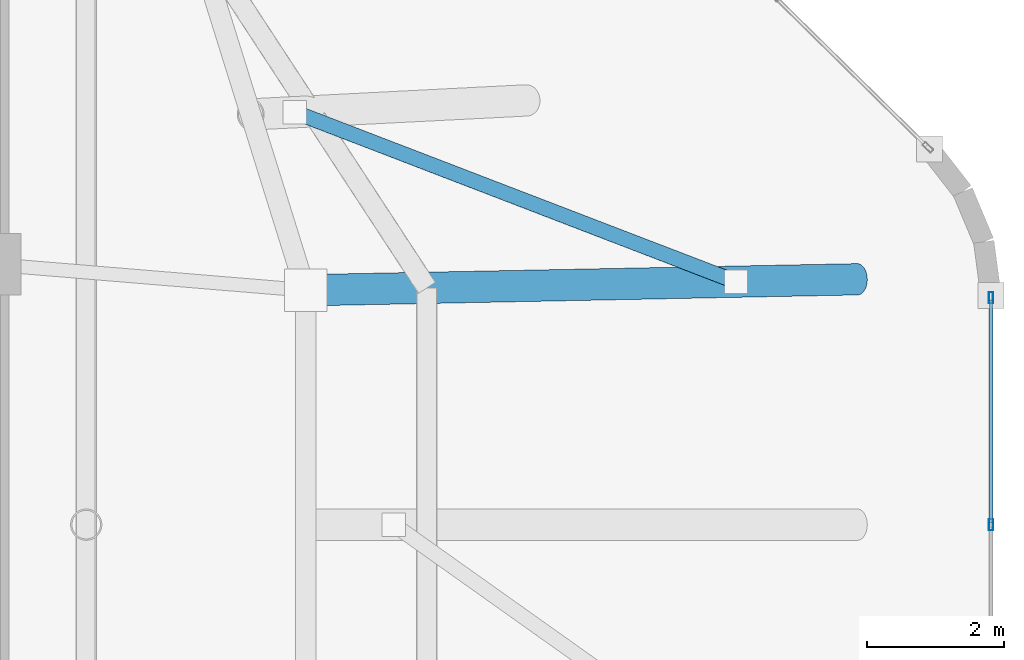
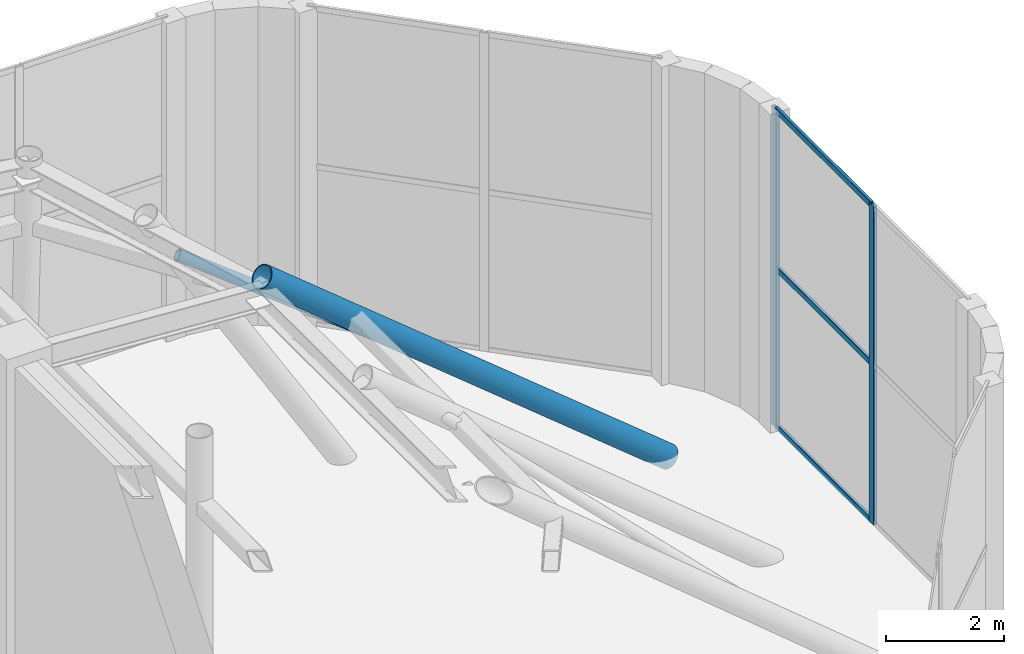
# One storey, part 11 of 19: 7 members, 1 element without a shape of its own.
"""IFC4 building model written with IfcOpenShell, lengths in metres."""

from ifc_helpers import new_model, si_unit, direction, frame, origin, origin_2d, place, context, subcontext, project, spatial, hollow_rectangle, hollow_circle, extrude, material, layer, layer_set, material_profile, profile_set, type_object, element, aggregate, save


model = new_model("IFC4")

# Units and contexts
model_context = context("Model", 3, precision=1e-05, world=origin(), true_north=direction((0.0, 1.0)))
body_context = subcontext(model_context, "Body", "Model", "MODEL_VIEW")
ifc_project = project(units=[si_unit("LENGTHUNIT", "METRE"), si_unit("AREAUNIT", "SQUARE_METRE"), si_unit("VOLUMEUNIT", "CUBIC_METRE"), si_unit("PLANEANGLEUNIT", "RADIAN"), si_unit("MASSUNIT", "GRAM", prefix="KILO")], contexts=[model_context])

# Site, building, storey
site_placement = place(None, origin())
site = spatial("IfcSite", under=ifc_project, at=site_placement, CompositionType="ELEMENT")
building_placement = place(site_placement, origin())
building = spatial("IfcBuilding", under=site, at=building_placement, Name="An Khanh Terracotta Commons", CompositionType="ELEMENT")
storey_placement = place(building_placement, frame((0.0, 0.0, 328.800048828125)))
storey = spatial("IfcBuildingStorey", under=building, at=storey_placement, Name="L82 Crown Faceted Taper", CompositionType="ELEMENT", Elevation=328.800048828125)

# Members
ifc_material_1 = material(Name="Steel S460ML", Category="steel")
ifc_material_profile_1 = material_profile(ifc_material_1, hollow_circle(Radius=0.109619140625, WallThickness=0.010009765625, at=origin_2d()), Name="CHS219.1x10")
ifc_profile_set_1 = profile_set([ifc_material_profile_1], Name="Steel S460ML")
member_type_1 = type_object("IfcMemberType", Name="CROWN FRAME BRACE CHS219", PredefinedType="BRACE", material=ifc_profile_set_1)
member_1_placement = place(storey_placement, frame((48.0791015625, 27.544921875, 1.341064453125), z_axis=(-0.801409813043, 0.308000660374, 0.51271620295), x_axis=(-0.35874175876, -0.933436848706, 0.0)))
element("IfcMember", 1, at=member_1_placement, inside=storey, type_object=member_type_1, Name="L82 Crown Faceted Taper CROWN FRAME Wind Diagonal 4", PredefinedType="BRACE", context=body_context, shape_type="SweptSolid", body=[
    extrude(hollow_circle(Radius=0.109619140625, WallThickness=0.010009765625, at=origin_2d()), origin(), (0.0, 0.0, 1.0), 8.02978515625),
])
ifc_material_profile_2 = material_profile(ifc_material_1, hollow_circle(Radius=0.228515625, WallThickness=0.02001953125, at=origin_2d()), Name="CHS457x20")
ifc_profile_set_2 = profile_set([ifc_material_profile_2], Name="Steel S460ML")
member_type_2 = type_object("IfcMemberType", Name="CROWN FRAME RIB CHS457", PredefinedType="STRUT", material=ifc_profile_set_2)
member_2_placement = place(storey_placement, frame((49.85009765625, 27.580078125, -0.1201171875), z_axis=(-0.771336702565, -0.015345794343, 0.636242247789), x_axis=(0.019891129459, -0.999802151912, 0.0)))
element("IfcMember", 2, at=member_2_placement, inside=storey, type_object=member_type_2, Name="L82 Crown Faceted Taper CROWN FRAME Corner Raking Rib 4", PredefinedType="STRUT", context=body_context, shape_type="SweptSolid", body=[
    extrude(hollow_circle(Radius=0.228515625, WallThickness=0.02001953125, at=origin_2d()), origin(), (0.0, 0.0, 1.0), 10.4365234375),
])

# Curtain wall, members
ifc_material_2 = material(Name="Anodised Aluminium 6063-T6", Category="aluminium")
ifc_layer = layer(ifc_material_2, 0.18994140625, Name="Anodised Aluminium 6063-T6")
ifc_layer_set = layer_set([ifc_layer], Name="Anodised Aluminium 6063-T6")
curtain_wall_type = type_object("IfcCurtainWallType", Name="CW-SYS-06", PredefinedType="USERDEFINED", material=ifc_layer_set)
curtain_wall_placement = place(storey_placement, origin())
curtain_wall = element("IfcCurtainWall", 3, at=curtain_wall_placement, inside=storey, type_object=curtain_wall_type, Name="L82 Crown Faceted Taper CW-06 Unitised Curtain Wall CW-L82-12", ObjectType="UNITISED CURTAIN WALL", PredefinedType="USERDEFINED")
ifc_material_profile_3 = material_profile(ifc_material_2, hollow_rectangle(XDim=0.06494140625, YDim=0.1650390625, WallThickness=0.00390625, InnerFilletRadius=0.00390625, OuterFilletRadius=0.008056640625, at=origin_2d()), Name="RHS165x65x4")
ifc_profile_set_3 = profile_set([ifc_material_profile_3], Name="Anodised Aluminium 6063-T6")
member_type_3 = type_object("IfcMemberType", Name="CWM-RHS165x65x4", PredefinedType="MULLION", material=ifc_profile_set_3)
member_3_placement = place(storey_placement, frame((51.800048828125, 24.0, 0.0), z_axis=(0.0, 0.0, 1.0), x_axis=(-1.0, 0.0, 0.0)))
member_3 = element("IfcMember", 4, at=member_3_placement, type_object=member_type_3, Name="CW-06 mullion 2", PredefinedType="MULLION", context=body_context, shape_type="SweptSolid", body=[
    extrude(hollow_rectangle(XDim=0.06494140625, YDim=0.1650390625, WallThickness=0.00390625, InnerFilletRadius=0.00390625, OuterFilletRadius=0.008056640625, at=origin_2d()), origin(), (0.0, 0.0, 1.0), 6.599853515625),
])
member_4_placement = place(storey_placement, frame((51.800048828125, 27.310546875, 0.0), z_axis=(0.0, 0.0, 1.0), x_axis=(-1.0, 0.0, 0.0)))
member_4 = element("IfcMember", 5, at=member_4_placement, type_object=member_type_3, Name="CW-06 mullion 3", PredefinedType="MULLION", context=body_context, shape_type="SweptSolid", body=[
    extrude(hollow_rectangle(XDim=0.06494140625, YDim=0.1650390625, WallThickness=0.00390625, InnerFilletRadius=0.00390625, OuterFilletRadius=0.008056640625, at=origin_2d()), origin(), (0.0, 0.0, 1.0), 6.599853515625),
])
ifc_material_profile_4 = material_profile(ifc_material_2, hollow_rectangle(XDim=0.06005859375, YDim=0.1201171875, WallThickness=0.003662109375, InnerFilletRadius=0.003662109375, OuterFilletRadius=0.007080078125, at=origin_2d()), Name="RHS120x60x3.6")
ifc_profile_set_4 = profile_set([ifc_material_profile_4], Name="Anodised Aluminium 6063-T6")
member_type_4 = type_object("IfcMemberType", Name="CWT-RHS120x60x3.6", PredefinedType="USERDEFINED", material=ifc_profile_set_4)
member_5_placement = place(storey_placement, frame((51.800048828125, 24.032470703125, 0.030029296875), z_axis=(0.0, 1.0, 0.0), x_axis=(-1.0, 0.0, 0.0)))
member_5 = element("IfcMember", 6, at=member_5_placement, type_object=member_type_4, Name="CW-06 transom 2.1", ObjectType="TRANSOM", PredefinedType="USERDEFINED", context=body_context, shape_type="SweptSolid", body=[
    extrude(hollow_rectangle(XDim=0.06005859375, YDim=0.1201171875, WallThickness=0.003662109375, InnerFilletRadius=0.003662109375, OuterFilletRadius=0.007080078125, at=origin_2d()), origin(), (0.0, 0.0, 1.0), 3.24560546875),
])
member_6_placement = place(storey_placement, frame((51.800048828125, 24.032470703125, 3.300048828125), z_axis=(0.0, 1.0, 0.0), x_axis=(-1.0, 0.0, 0.0)))
member_6 = element("IfcMember", 7, at=member_6_placement, type_object=member_type_4, Name="CW-06 transom 2.2", ObjectType="TRANSOM", PredefinedType="USERDEFINED", context=body_context, shape_type="SweptSolid", body=[
    extrude(hollow_rectangle(XDim=0.06005859375, YDim=0.1201171875, WallThickness=0.003662109375, InnerFilletRadius=0.003662109375, OuterFilletRadius=0.007080078125, at=origin_2d()), origin(), (0.0, 0.0, 1.0), 3.24560546875),
])
member_7_placement = place(storey_placement, frame((51.800048828125, 24.032470703125, 6.570068359375), z_axis=(0.0, 1.0, 0.0), x_axis=(-1.0, 0.0, 0.0)))
member_7 = element("IfcMember", 8, at=member_7_placement, type_object=member_type_4, Name="CW-06 transom 2.3", ObjectType="TRANSOM", PredefinedType="USERDEFINED", context=body_context, shape_type="SweptSolid", body=[
    extrude(hollow_rectangle(XDim=0.06005859375, YDim=0.1201171875, WallThickness=0.003662109375, InnerFilletRadius=0.003662109375, OuterFilletRadius=0.007080078125, at=origin_2d()), origin(), (0.0, 0.0, 1.0), 3.24560546875),
])
aggregate(curtain_wall, [member_3, member_4, member_5, member_6, member_7])

save(model, "model.ifc")
